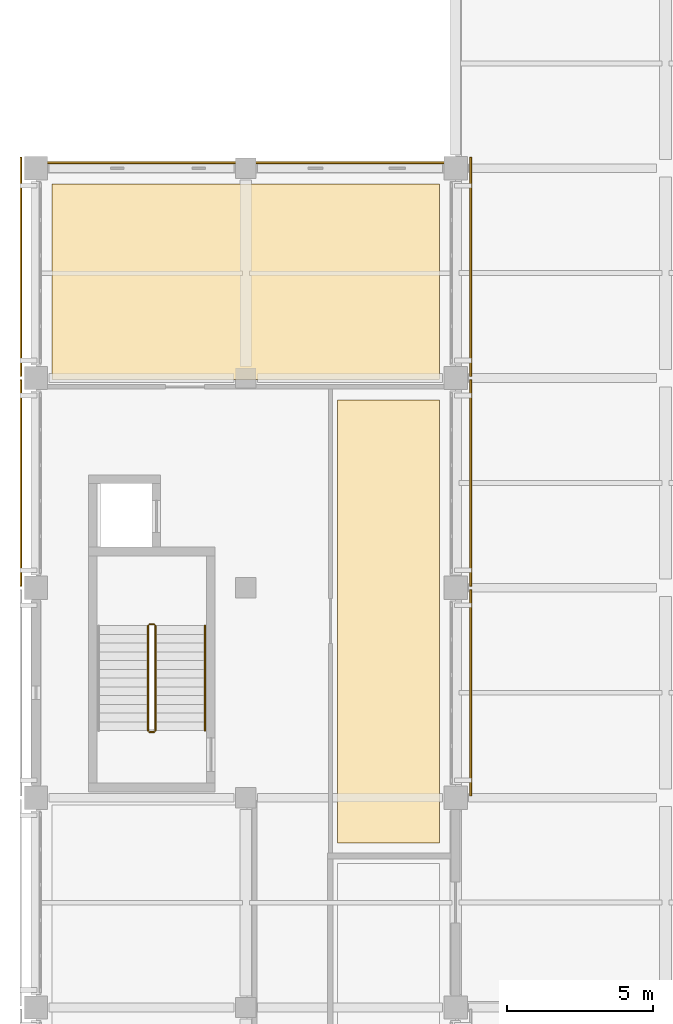
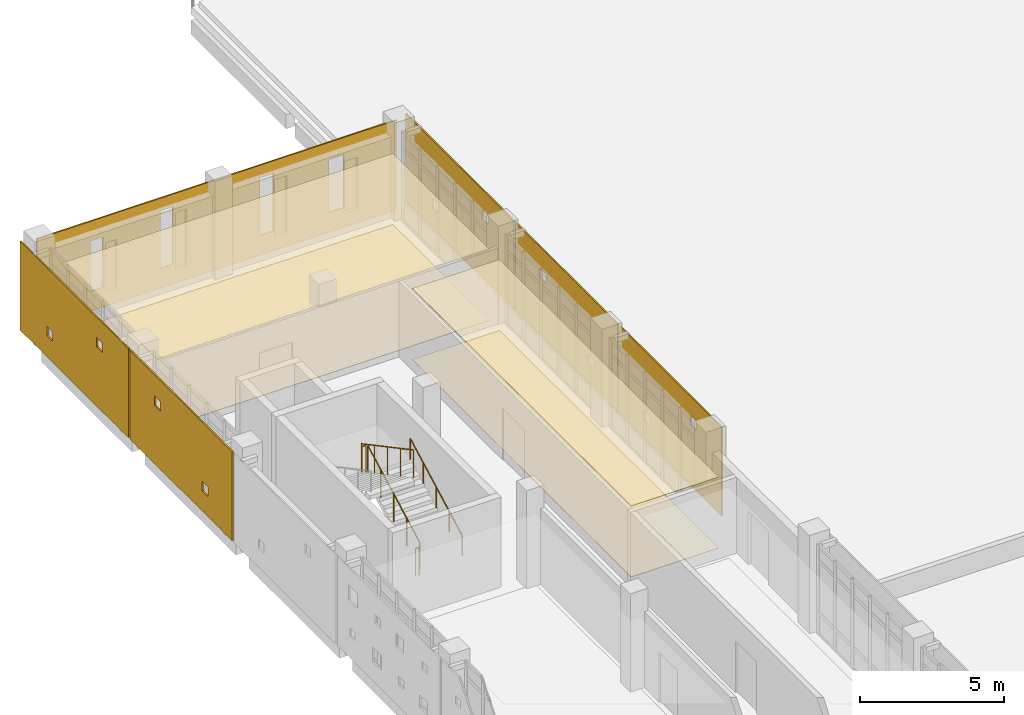
# One storey, part 48 of 51: 10 coverings, 5 railings.
"""IFC4 building model written with IfcOpenShell, lengths in metres."""

from ifc_helpers import new_model, si_unit, direction, frame, origin, origin_2d, place, context, subcontext, project, spatial, polyline, circle, outline, extrude, material, layer, layer_set, type_object, element, save


model = new_model("IFC4")

# Units and contexts
model_context = context("Model", 3, precision=1e-05, world=origin(), true_north=direction((0.0, 1.0)))
body_context = subcontext(model_context, "Body", "Model", "MODEL_VIEW")
ifc_project = project(units=[si_unit("LENGTHUNIT", "METRE"), si_unit("AREAUNIT", "SQUARE_METRE"), si_unit("VOLUMEUNIT", "CUBIC_METRE"), si_unit("PLANEANGLEUNIT", "RADIAN"), si_unit("MASSUNIT", "GRAM", prefix="KILO")], contexts=[model_context])

# Site, building, storey
site_placement = place(None, origin())
site = spatial("IfcSite", under=ifc_project, at=site_placement, CompositionType="ELEMENT")
building_placement = place(site_placement, origin())
building = spatial("IfcBuilding", under=site, at=building_placement, Name="Valkovuoma Quantum and Materials Research Institute", CompositionType="ELEMENT")
storey_placement = place(building_placement, frame((0.0, 0.0, 17.280029296875)))
storey = spatial("IfcBuildingStorey", under=building, at=storey_placement, Name="L04", CompositionType="ELEMENT", Elevation=17.280029296875)

# Coverings
ifc_material_1 = material(Name="Cleanable acoustic mineral-fibre suspended ceiling", Category="masonry")
ifc_layer_1 = layer(ifc_material_1, 0.02490234375)
ifc_layer_set_1 = layer_set([ifc_layer_1], Name="Cleanable acoustic mineral-fibre suspended ceiling")
covering_type_1 = type_object("IfcCoveringType", Name="Cov-CEIL-01", PredefinedType="CEILING", material=ifc_layer_set_1)
covering_1_placement = place(storey_placement, frame((0.0, 0.0, 3.0)))
element("IfcCovering", 1, at=covering_1_placement, inside=storey, type_object=covering_type_1, Name="L04 acoustic ceiling 0107", PredefinedType="CEILING", context=body_context, shape_type="SweptSolid", body=[
    extrude(outline(polyline([(0.550048828125, 86.35009765625), (13.85009765625, 86.35009765625), (13.85009765625, 93.050048828125), (0.550048828125, 93.050048828125), (0.550048828125, 86.35009765625)])), origin(), (0.0, 0.0, 1.0), 0.02490234375),
])
covering_2_placement = place(storey_placement, frame((0.0, 0.0, 3.0)))
element("IfcCovering", 2, at=covering_2_placement, inside=storey, type_object=covering_type_1, Name="L04 acoustic ceiling 0111", PredefinedType="CEILING", context=body_context, shape_type="SweptSolid", body=[
    extrude(outline(polyline([(10.35009765625, 70.449951171875), (13.85009765625, 70.449951171875), (13.85009765625, 85.64990234375), (10.35009765625, 85.64990234375), (10.35009765625, 70.449951171875)])), origin(), (0.0, 0.0, 1.0), 0.02490234375),
])
ifc_material_2 = material(Name="Seamless dissipative laboratory resin flooring", Category="masonry")
ifc_layer_2 = layer(ifc_material_2, 0.014892578125)
ifc_layer_set_2 = layer_set([ifc_layer_2], Name="Seamless dissipative laboratory resin flooring")
covering_type_2 = type_object("IfcCoveringType", Name="Cov-FLOR-01", PredefinedType="FLOORING", material=ifc_layer_set_2)
covering_3_placement = place(storey_placement, origin())
element("IfcCovering", 3, at=covering_3_placement, inside=storey, type_object=covering_type_2, Name="L04 resin flooring 0107", PredefinedType="FLOORING", context=body_context, shape_type="SweptSolid", body=[
    extrude(outline(polyline([(0.550048828125, 86.35009765625), (13.85009765625, 86.35009765625), (13.85009765625, 93.050048828125), (0.550048828125, 93.050048828125), (0.550048828125, 86.35009765625)])), origin(), (0.0, 0.0, 1.0), 0.014892578125),
])
covering_4_placement = place(storey_placement, origin())
element("IfcCovering", 4, at=covering_4_placement, inside=storey, type_object=covering_type_2, Name="L04 resin flooring 0111", PredefinedType="FLOORING", context=body_context, shape_type="SweptSolid", body=[
    extrude(outline(polyline([(10.35009765625, 70.449951171875), (13.85009765625, 70.449951171875), (13.85009765625, 85.64990234375), (10.35009765625, 85.64990234375), (10.35009765625, 70.449951171875)])), origin(), (0.0, 0.0, 1.0), 0.014892578125),
])
ifc_material_3 = material(Name="White powder-coated aluminium architectural panel", Category="aluminium")
ifc_layer_3 = layer(ifc_material_3, 0.054931640625)
ifc_layer_set_3 = layer_set([ifc_layer_3], Name="White powder-coated aluminium architectural panel")
covering_type_3 = type_object("IfcCoveringType", Name="Cov-PERF-SPARSE", PredefinedType="CLADDING", material=ifc_layer_set_3)
covering_5_placement = place(storey_placement, frame((14.919921875, 72.06005859375, 0.02001953125), z_axis=(0.0, 0.0, 1.0), x_axis=(0.0, 1.0, 0.0)))
element("IfcCovering", 5, at=covering_5_placement, inside=storey, type_object=covering_type_3, Name="L04 graduated perforated white screen E-0051", PredefinedType="CLADDING", context=body_context, shape_type="SweptSolid", body=[
    extrude(outline(polyline([(0.0, 0.0), (7.079833984375, 0.0), (7.079833984375, 3.77001953125), (0.0, 3.77001953125), (0.0, 0.0)]), holes=[polyline([(1.7548828125, 2.5673828125), (1.7548828125, 2.967529296875), (2.155029296875, 2.967529296875), (2.155029296875, 2.5673828125), (1.7548828125, 2.5673828125)]), polyline([(4.985107421875, 0.802490234375), (4.985107421875, 1.202392578125), (5.385009765625, 1.202392578125), (5.385009765625, 0.802490234375), (4.985107421875, 0.802490234375)])]), frame((0.0, 0.02734375, 0.0), z_axis=(0.0, -1.0, 0.0), x_axis=(1.0, 0.0, 0.0)), (0.0, 0.0, 1.0), 0.054931640625),
])
for number, where, z_axis, x_axis, name in (
    (6, (-0.52001953125, 79.260009765625, 0.02001953125), (0.0, 0.0, 1.0), (0.0, 1.0, 0.0), "L04 graduated perforated white screen W-0052"),
    (7, (14.919921875, 79.260009765625, 0.02001953125), (0.0, 0.0, 1.0), (0.0, 1.0, 0.0), "L04 graduated perforated white screen E-0053"),
):
    element("IfcCovering", number, at=place(storey_placement, frame(where, z_axis=z_axis, x_axis=x_axis)), inside=storey, type_object=covering_type_3, Name=name, PredefinedType="CLADDING", context=body_context, shape_type="SweptSolid", body=[
        extrude(outline(polyline([(0.0, 0.0), (7.080078125, 0.0), (7.080078125, 3.77001953125), (0.0, 3.77001953125), (0.0, 0.0)]), holes=[polyline([(1.695068359375, 0.8525390625), (1.695068359375, 1.25244140625), (2.094970703125, 1.25244140625), (2.094970703125, 0.8525390625), (1.695068359375, 0.8525390625)]), polyline([(4.985107421875, 2.467529296875), (4.985107421875, 2.867431640625), (5.385009765625, 2.867431640625), (5.385009765625, 2.467529296875), (4.985107421875, 2.467529296875)])]), frame((0.0, 0.02734375, 0.0), z_axis=(0.0, -1.0, 0.0), x_axis=(1.0, 0.0, 0.0)), (0.0, 0.0, 1.0), 0.054931640625),
    ])
for number, where, z_axis, x_axis, name in (
    (8, (-0.52001953125, 86.4599609375, 0.02001953125), (0.0, 0.0, 1.0), (0.0, 1.0, 0.0), "L04 graduated perforated white screen W-0054"),
    (9, (14.919921875, 86.4599609375, 0.02001953125), (0.0, 0.0, 1.0), (0.0, 1.0, 0.0), "L04 graduated perforated white screen E-0055"),
):
    element("IfcCovering", number, at=place(storey_placement, frame(where, z_axis=z_axis, x_axis=x_axis)), inside=storey, type_object=covering_type_3, Name=name, PredefinedType="CLADDING", context=body_context, shape_type="SweptSolid", body=[
        extrude(outline(polyline([(0.0, 0.0), (7.52001953125, 0.0), (7.52001953125, 3.77001953125), (0.0, 3.77001953125), (0.0, 0.0)]), holes=[polyline([(1.804931640625, 2.517578125), (1.804931640625, 2.91748046875), (2.205078125, 2.91748046875), (2.205078125, 2.517578125), (1.804931640625, 2.517578125)]), polyline([(5.2548828125, 0.902587890625), (5.2548828125, 1.302490234375), (5.655029296875, 1.302490234375), (5.655029296875, 0.902587890625), (5.2548828125, 0.902587890625)])]), frame((0.0, 0.02734375, 0.0), z_axis=(0.0, -1.0, 0.0), x_axis=(1.0, 0.0, 0.0)), (0.0, 0.0, 1.0), 0.054931640625),
    ])
ifc_material_4 = material(Name="White powder-coated aluminium architectural panel", Category="aluminium")
ifc_layer_4 = layer(ifc_material_4, 0.054931640625)
ifc_layer_set_4 = layer_set([ifc_layer_4], Name="White powder-coated aluminium architectural panel")
covering_type_4 = type_object("IfcCoveringType", Name="Cov-WHITE-01", PredefinedType="CLADDING", material=ifc_layer_set_4)
covering_6_placement = place(storey_placement, frame((0.0, 93.78759765625, 0.0), z_axis=(0.0, 0.0, 1.0), x_axis=(1.0, 0.0, 0.0)))
element("IfcCovering", 10, at=covering_6_placement, inside=storey, type_object=covering_type_4, Name="L04 north white slot-window end skin", PredefinedType="CLADDING", context=body_context, shape_type="SweptSolid", body=[
    extrude(outline(polyline([(0.0, 0.0), (14.39990234375, 0.0), (14.39990234375, 3.81005859375), (0.0, 3.81005859375), (0.0, 0.0)]), holes=[polyline([(2.155029296875, 0.830078125), (2.155029296875, 2.969970703125), (2.64501953125, 2.969970703125), (2.64501953125, 0.830078125), (2.155029296875, 0.830078125)]), polyline([(4.955078125, 0.830078125), (4.955078125, 3.27001953125), (5.445068359375, 3.27001953125), (5.445068359375, 0.830078125), (4.955078125, 0.830078125)]), polyline([(8.929931640625, 0.830078125), (8.929931640625, 3.27001953125), (9.469970703125, 3.27001953125), (9.469970703125, 0.830078125), (8.929931640625, 0.830078125)]), polyline([(11.705078125, 0.830078125), (11.705078125, 3.070068359375), (12.294921875, 3.070068359375), (12.294921875, 0.830078125), (11.705078125, 0.830078125)])]), frame((0.0, 0.02734375, 0.0), z_axis=(0.0, -1.0, 0.0), x_axis=(1.0, 0.0, 0.0)), (0.0, 0.0, 1.0), 0.054931640625),
])

# Railings
ifc_material_5 = material(Name="Painted steel stair balustrade", Category="steel")
railing_type_1 = type_object("IfcRailingType", Name="Rail-GRD-ST", PredefinedType="BALUSTRADE", material=ifc_material_5)
railing_1_placement = place(storey_placement, frame((4.10009765625, 74.300048828125, 0.159912109375)))
element("IfcRailing", 11, at=railing_1_placement, inside=storey, type_object=railing_type_1, Name="L04 ST-2 stair guard 1", PredefinedType="BALUSTRADE", context=body_context, shape_type="SweptSolid", body=[
    extrude(circle(Radius=0.02392578125, at=origin_2d()), frame((0.0, 0.0, 1.17578125), z_axis=(0.0, 0.882328093246, 0.470634822203), x_axis=(-1.0, 0.0, 0.0)), (0.0, 0.0, 1.0), 4.079833984375),
    extrude(circle(Radius=0.02099609375, at=origin_2d()), origin(), (0.0, 0.0, 1.0), 1.15185546875),
    extrude(circle(Radius=0.02099609375, at=origin_2d()), frame((0.0, 0.89990234375, 0.47998046875)), (0.0, 0.0, 1.0), 1.15185546875),
    extrude(circle(Radius=0.02099609375, at=origin_2d()), frame((0.0, 1.7998046875, 0.9599609375)), (0.0, 0.0, 1.0), 1.15185546875),
    extrude(circle(Radius=0.02099609375, at=origin_2d()), frame((0.0, 2.699951171875, 1.440185546875)), (0.0, 0.0, 1.0), 1.15185546875),
    extrude(circle(Radius=0.02099609375, at=origin_2d()), frame((0.0, 3.599853515625, 1.920166015625)), (0.0, 0.0, 1.0), 1.15185546875),
])
railing_2_placement = place(storey_placement, frame((4.050048828125, 77.949951171875, 2.080078125)))
element("IfcRailing", 12, at=railing_2_placement, inside=storey, type_object=railing_type_1, Name="L04 ST-2 stair guard 2", PredefinedType="BALUSTRADE", context=body_context, shape_type="SweptSolid", body=[
    extrude(circle(Radius=0.02392578125, at=origin_2d()), frame((0.0, 0.0, 1.17578125), z_axis=(-1.0, 0.0, 0.0), x_axis=(0.0, -1.0, 0.0)), (0.0, 0.0, 1.0), 0.150146484375),
    extrude(circle(Radius=0.02099609375, at=origin_2d()), origin(), (0.0, 0.0, 1.0), 1.15185546875),
    extrude(circle(Radius=0.02099609375, at=origin_2d()), frame((-0.150146484375, 0.0, 0.0)), (0.0, 0.0, 1.0), 1.15185546875),
])
railing_3_placement = place(storey_placement, frame((3.85009765625, 77.89990234375, 2.239990234375)))
element("IfcRailing", 13, at=railing_3_placement, inside=storey, type_object=railing_type_1, Name="L04 ST-2 stair guard 3", PredefinedType="BALUSTRADE", context=body_context, shape_type="SweptSolid", body=[
    extrude(circle(Radius=0.02392578125, at=origin_2d()), frame((0.0, 0.0, 1.17578125), z_axis=(0.0, -0.882352941176, 0.470588235294), x_axis=(1.0, 0.0, 0.0)), (0.0, 0.0, 1.0), 4.079833984375),
    extrude(circle(Radius=0.02099609375, at=origin_2d()), origin(), (0.0, 0.0, 1.0), 1.15185546875),
    extrude(circle(Radius=0.02099609375, at=origin_2d()), frame((0.0, -0.89990234375, 0.47998046875)), (0.0, 0.0, 1.0), 1.15185546875),
    extrude(circle(Radius=0.02099609375, at=origin_2d()), frame((0.0, -1.7998046875, 0.9599609375)), (0.0, 0.0, 1.0), 1.15185546875),
    extrude(circle(Radius=0.02099609375, at=origin_2d()), frame((0.0, -2.699951171875, 1.43994140625)), (0.0, 0.0, 1.0), 1.15185546875),
    extrude(circle(Radius=0.02099609375, at=origin_2d()), frame((0.0, -3.599853515625, 1.919921875)), (0.0, 0.0, 1.0), 1.15185546875),
])
railing_4_placement = place(storey_placement, frame((4.050048828125, 74.25, 0.0)))
element("IfcRailing", 14, at=railing_4_placement, inside=storey, type_object=railing_type_1, Name="L04 ST-2 stair guard 4", PredefinedType="BALUSTRADE", context=body_context, shape_type="SweptSolid", body=[
    extrude(circle(Radius=0.02392578125, at=origin_2d()), frame((0.0, 0.0, 1.17578125), z_axis=(-1.0, 0.0, 0.0), x_axis=(0.0, -1.0, 0.0)), (0.0, 0.0, 1.0), 0.150146484375),
    extrude(circle(Radius=0.02099609375, at=origin_2d()), origin(), (0.0, 0.0, 1.0), 1.15185546875),
    extrude(circle(Radius=0.02099609375, at=origin_2d()), frame((-0.150146484375, 0.0, 0.0)), (0.0, 0.0, 1.0), 1.15185546875),
])
ifc_material_6 = material(Name="Brushed stainless steel handrail", Category="steel")
railing_type_2 = type_object("IfcRailingType", Name="Rail-HR-ST", PredefinedType="HANDRAIL", material=ifc_material_6)
railing_5_placement = place(storey_placement, frame((5.800048828125, 74.300048828125, 0.159912109375)))
element("IfcRailing", 15, at=railing_5_placement, inside=storey, type_object=railing_type_2, Name="L04 ST-2 stair handrail 1", PredefinedType="HANDRAIL", context=body_context, shape_type="SweptSolid", body=[
    extrude(circle(Radius=0.02392578125, at=origin_2d()), frame((0.0, 0.0, 0.8759765625), z_axis=(0.0, 0.882328093246, 0.470634822203), x_axis=(-1.0, 0.0, 0.0)), (0.0, 0.0, 1.0), 4.079833984375),
    extrude(circle(Radius=0.02099609375, at=origin_2d()), origin(), (0.0, 0.0, 1.0), 0.851806640625),
    extrude(circle(Radius=0.02099609375, at=origin_2d()), frame((0.0, 0.89990234375, 0.47998046875)), (0.0, 0.0, 1.0), 0.851806640625),
    extrude(circle(Radius=0.02099609375, at=origin_2d()), frame((0.0, 1.7998046875, 0.9599609375)), (0.0, 0.0, 1.0), 0.851806640625),
    extrude(circle(Radius=0.02099609375, at=origin_2d()), frame((0.0, 2.699951171875, 1.440185546875)), (0.0, 0.0, 1.0), 0.851806640625),
    extrude(circle(Radius=0.02099609375, at=origin_2d()), frame((0.0, 3.599853515625, 1.920166015625)), (0.0, 0.0, 1.0), 0.851806640625),
])

save(model, "model.ifc")
